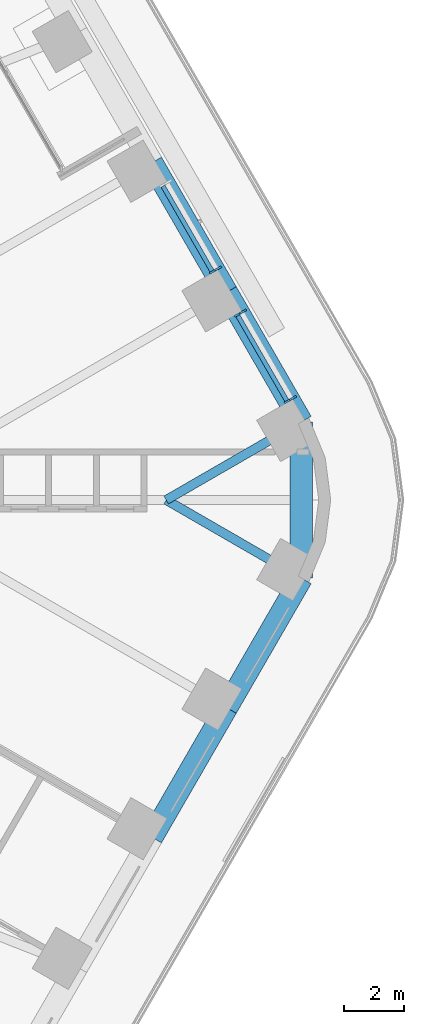
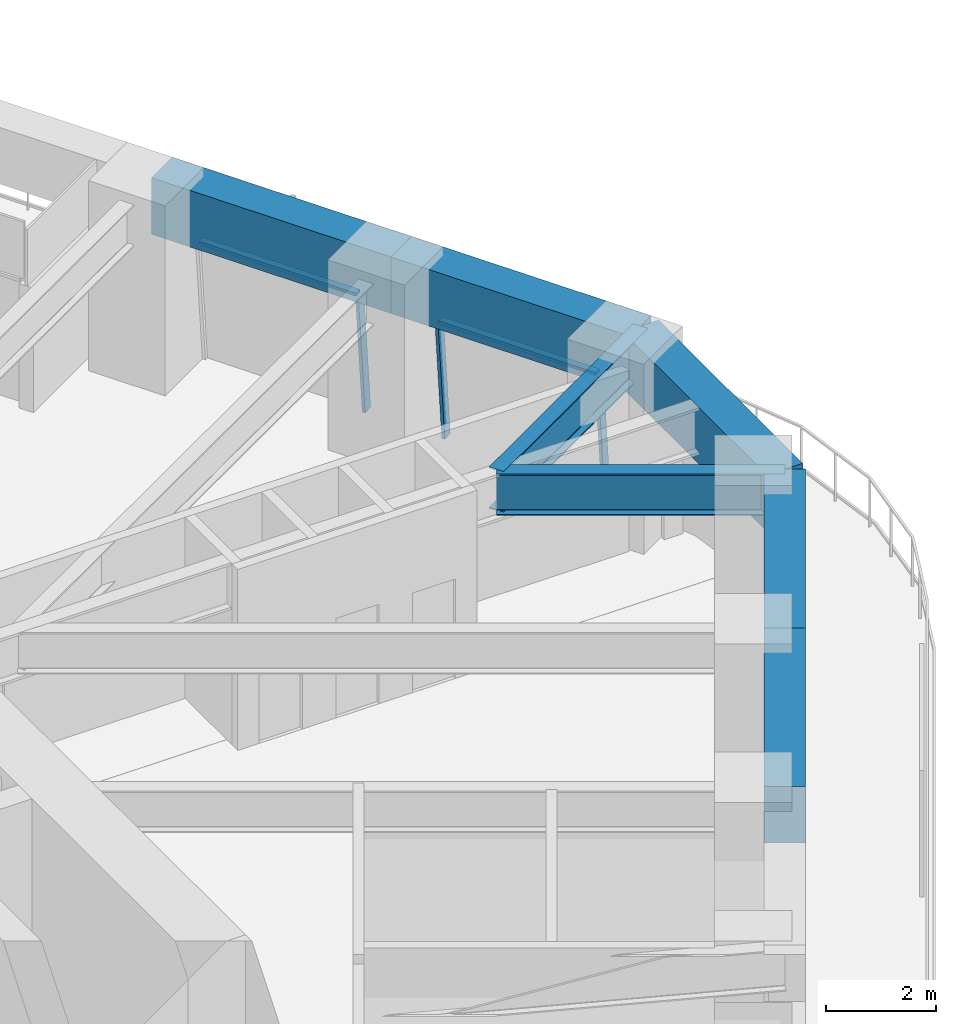
# One storey, part 14 of 24: 7 beams, 5 members, 2 elements without a shape of their own.
"""IFC4 building model written with IfcOpenShell, lengths in metres."""

from ifc_helpers import new_model, si_unit, direction, frame, origin, origin_2d, place, context, subcontext, project, spatial, rectangle, i_section, extrude, material, material_profile, profile_set, type_object, element, aggregate, save


model = new_model("IFC4")

# Units and contexts
model_context = context("Model", 3, precision=1e-05, world=origin(), true_north=direction((0.0, 1.0)))
body_context = subcontext(model_context, "Body", "Model", "MODEL_VIEW")
ifc_project = project(units=[si_unit("LENGTHUNIT", "METRE"), si_unit("AREAUNIT", "SQUARE_METRE"), si_unit("VOLUMEUNIT", "CUBIC_METRE"), si_unit("PLANEANGLEUNIT", "RADIAN"), si_unit("MASSUNIT", "GRAM", prefix="KILO")], contexts=[model_context])

# Site, building, storey
site_placement = place(None, origin())
site = spatial("IfcSite", under=ifc_project, at=site_placement, CompositionType="ELEMENT")
building_placement = place(site_placement, origin())
building = spatial("IfcBuilding", under=site, at=building_placement, Name="Tarfa Lantern Tower", CompositionType="ELEMENT")
storey_placement = place(building_placement, frame((0.0, 0.0, 161.5)))
storey = spatial("IfcBuildingStorey", under=building, at=storey_placement, Name="L36", CompositionType="ELEMENT", Elevation=161.5)

# Curtain wall, members
ifc_material_1 = material(Name="Aluminium framed curtain wall", Category="aluminium")
curtain_wall_type = type_object("IfcCurtainWallType", Name="CW2 CANTED GLAZING MID ZONE 2750", PredefinedType="USERDEFINED", material=ifc_material_1)
curtain_wall_1_placement = place(storey_placement, origin())
curtain_wall_1 = element("IfcCurtainWall", 1, at=curtain_wall_1_placement, inside=storey, type_object=curtain_wall_type, Name="CW2 NE L36", ObjectType="CURTAIN WALL", PredefinedType="USERDEFINED")
ifc_material_2 = material(Name="Aluminium mullion", Category="aluminium")
ifc_material_profile_1 = material_profile(ifc_material_2, rectangle(XDim=0.06494140625, YDim=0.199951171875, at=origin_2d()), Name="AL MULLION 65x200")
ifc_profile_set_1 = profile_set([ifc_material_profile_1], Name="Aluminium mullion")
member_type_1 = type_object("IfcMemberType", Name="CWM1 MULLION 65x200", PredefinedType="MULLION", material=ifc_profile_set_1)
member_1_placement = place(storey_placement, frame((34.282470703125, 3.4208984375, 0.0), z_axis=(-0.078422950161, -0.045267813396, 0.995891894715), x_axis=(0.499919672301, -0.866071776036, 0.0)))
member_1 = element("IfcMember", 2, at=member_1_placement, type_object=member_type_1, Name="CW2 mullion 1", PredefinedType="MULLION", context=body_context, shape_type="SweptSolid", body=[
    extrude(rectangle(XDim=0.06494140625, YDim=0.199951171875, at=origin_2d()), origin(), (0.0, 0.0, 1.0), 2.76123046875),
])
member_2_placement = place(storey_placement, frame((32.613037109375, 6.312255859375, 0.0), z_axis=(-0.078335079308, -0.045268127094, 0.995898796073), x_axis=(0.500342721131, -0.865827443207, 0.0)))
member_2 = element("IfcMember", 3, at=member_2_placement, type_object=member_type_1, Name="CW2 mullion 2", PredefinedType="MULLION", context=body_context, shape_type="SweptSolid", body=[
    extrude(rectangle(XDim=0.06494140625, YDim=0.199951171875, at=origin_2d()), origin(), (0.0, 0.0, 1.0), 2.76123046875),
])

# Curtain wall, member
curtain_wall_2_placement = place(storey_placement, origin())
curtain_wall_2 = element("IfcCurtainWall", 4, at=curtain_wall_2_placement, inside=storey, type_object=curtain_wall_type, Name="CW2 NE L36", ObjectType="CURTAIN WALL", PredefinedType="USERDEFINED")
member_3_placement = place(storey_placement, frame((31.78076171875, 7.75439453125, 0.0), z_axis=(-0.078422950161, -0.045267813396, 0.995891894715), x_axis=(0.499919672301, -0.866071776036, 0.0)))
member_3 = element("IfcMember", 5, at=member_3_placement, type_object=member_type_1, Name="CW2 mullion 1", PredefinedType="MULLION", context=body_context, shape_type="SweptSolid", body=[
    extrude(rectangle(XDim=0.06494140625, YDim=0.199951171875, at=origin_2d()), origin(), (0.0, 0.0, 1.0), 2.76123046875),
])

# Member
ifc_material_3 = material(Name="Aluminium transom", Category="aluminium")
ifc_material_profile_2 = material_profile(ifc_material_3, rectangle(XDim=0.14990234375, YDim=0.06494140625, at=origin_2d()), Name="AL TRANSOM 150x65")
ifc_profile_set_2 = profile_set([ifc_material_profile_2], Name="Aluminium transom")
member_type_2 = type_object("IfcMemberType", Name="CWT1 TRANSOM 150x65", PredefinedType="USERDEFINED", material=ifc_profile_set_2)
member_4_placement = place(storey_placement, frame((34.05224609375, 3.32568359375, 2.717529296875), z_axis=(-0.499989298045, 0.866031582473, 0.0), x_axis=(-0.866031582473, -0.499989298045, 0.0)))
member_4 = element("IfcMember", 6, at=member_4_placement, type_object=member_type_2, Name="CW2 transom 1.2", ObjectType="TRANSOM", PredefinedType="USERDEFINED", context=body_context, shape_type="SweptSolid", body=[
    extrude(rectangle(XDim=0.14990234375, YDim=0.06494140625, at=origin_2d()), origin(), (0.0, 0.0, 1.0), 3.2734375),
])

aggregate(curtain_wall_1, [member_1, member_2, member_4])

member_5_placement = place(storey_placement, frame((31.550537109375, 7.658935546875, 2.717529296875), z_axis=(-0.500012937857, 0.86601793398, 0.0), x_axis=(-0.86601793398, -0.500012937857, 0.0)))
member_5 = element("IfcMember", 7, at=member_5_placement, type_object=member_type_2, Name="CW2 transom 1.2", ObjectType="TRANSOM", PredefinedType="USERDEFINED", context=body_context, shape_type="SweptSolid", body=[
    extrude(rectangle(XDim=0.14990234375, YDim=0.06494140625, at=origin_2d()), origin(), (0.0, 0.0, 1.0), 3.27392578125),
])

aggregate(curtain_wall_2, [member_3, member_5])

# Beams
ifc_material_4 = material(Name="Concrete C80/95", Category="concrete")
ifc_material_profile_3 = material_profile(ifc_material_4, rectangle(XDim=0.75, YDim=1.25, at=origin_2d()), Name="RC 750x1250")
ifc_profile_set_3 = profile_set([ifc_material_profile_3], Name="Concrete C80/95")
beam_type_1 = type_object("IfcBeamType", Name="EB2 RC 750x1250", PredefinedType="SPANDREL", material=ifc_profile_set_3)
for number, where, z_axis, x_axis, name in (
    (8, (34.54296875, 2.610107421875, 3.375), (-0.500022324899, 0.866012514114, 0.0), (-0.866012514114, -0.500022324899, 0.0), "Edge beam NE0"),
    (9, (32.041015625, 6.943359375, 3.375), (-0.500022324899, 0.866012514114, 0.0), (-0.866012514114, -0.500022324899, 0.0), "Edge beam NE1"),
    (10, (29.5390625, -11.276611328125, 3.375), (0.500022324899, 0.866012514114, 0.0), (-0.866012514114, 0.500022324899, 0.0), "Edge beam SE4"),
    (11, (32.041015625, -6.943359375, 3.375), (0.500022324899, 0.866012514114, 0.0), (-0.866012514114, 0.500022324899, 0.0), "Edge beam SE5"),
):
    element("IfcBeam", number, at=place(storey_placement, frame(where, z_axis=z_axis, x_axis=x_axis)), inside=storey, type_object=beam_type_1, Name=name, PredefinedType="SPANDREL", context=body_context, shape_type="SweptSolid", body=[
        extrude(rectangle(XDim=0.75, YDim=1.25, at=origin_2d()), origin(), (0.0, 0.0, 1.0), 5.003662109375),
    ])
beam_placement = place(storey_placement, frame((34.54296875, -2.610107421875, 3.375), z_axis=(0.0, 1.0, 0.0), x_axis=(-1.0, 0.0, 0.0)))
element("IfcBeam", 12, at=beam_placement, inside=storey, type_object=beam_type_1, Name="Edge beam SE6", PredefinedType="SPANDREL", context=body_context, shape_type="SweptSolid", body=[
    extrude(rectangle(XDim=0.75, YDim=1.25, at=origin_2d()), origin(), (0.0, 0.0, 1.0), 5.22021484375),
])
ifc_material_5 = material(Name="Steel S460M", Category="steel")
ifc_material_profile_4 = material_profile(ifc_material_5, i_section(OverallWidth=0.305419921875, OverallDepth=0.91845703125, WebThickness=0.017333984375, FlangeThickness=0.02783203125, FilletRadius=0.01904296875, at=origin_2d()), Name="UB914x305x253")
ifc_profile_set_4 = profile_set([ifc_material_profile_4], Name="Steel S460M")
beam_type_2 = type_object("IfcBeamType", Name="UB914x305x253", PredefinedType="BEAM", material=ifc_profile_set_4)
for number, where, z_axis, x_axis, name in (
    (13, (34.54296875, 2.610107421875, 3.540771484375), (-0.866021250859, -0.500007193008, 0.0), (0.500007193008, -0.866021250859, 0.0), "Floor beam NE0"),
    (14, (34.54296875, -2.610107421875, 3.540771484375), (-0.866021250859, 0.500007193008, 0.0), (-0.500007193008, -0.866021250859, 0.0), "Floor beam SE6"),
):
    element("IfcBeam", number, at=place(storey_placement, frame(where, z_axis=z_axis, x_axis=x_axis)), inside=storey, type_object=beam_type_2, Name=name, PredefinedType="BEAM", context=body_context, shape_type="SweptSolid", body=[
        extrude(i_section(OverallWidth=0.305419921875, OverallDepth=0.91845703125, WebThickness=0.017333984375, FlangeThickness=0.02783203125, FilletRadius=0.01904296875, at=origin_2d()), origin(), (0.0, 0.0, 1.0), 5.22021484375),
    ])

save(model, "model.ifc")
